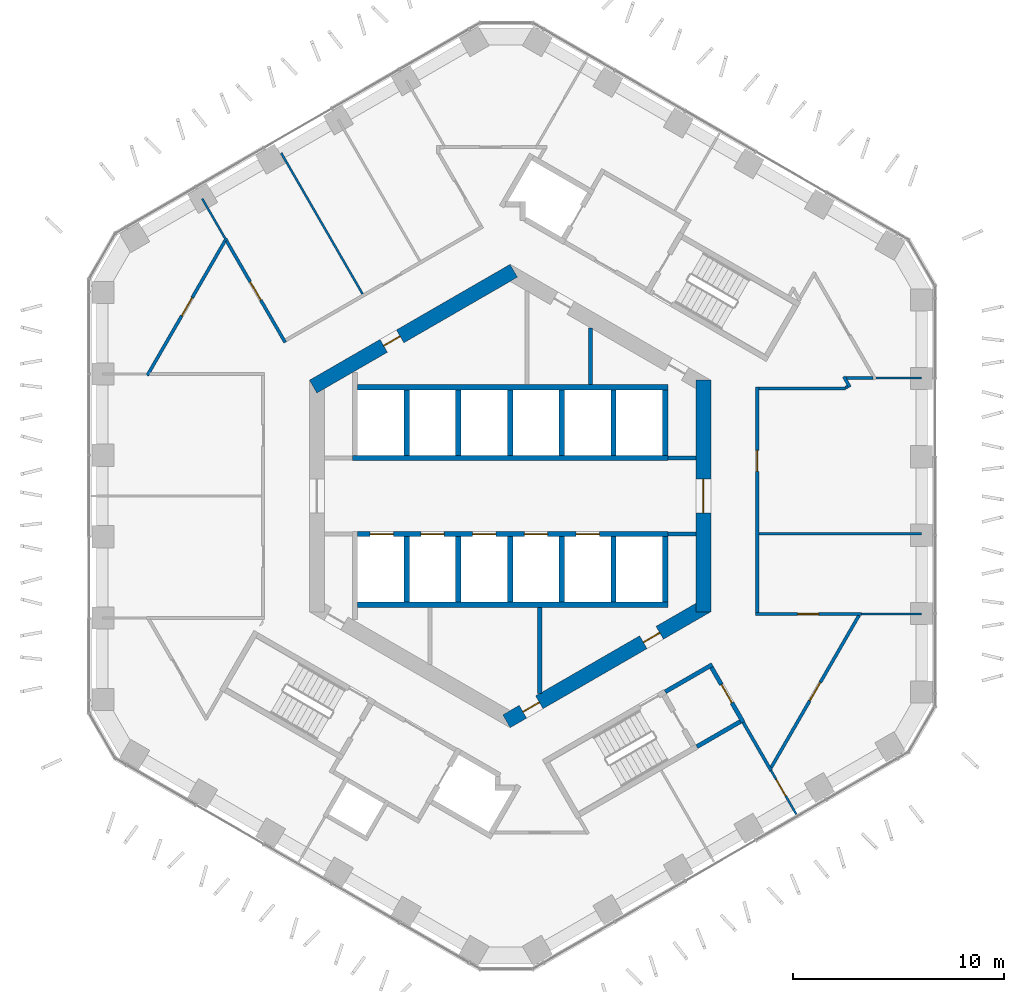
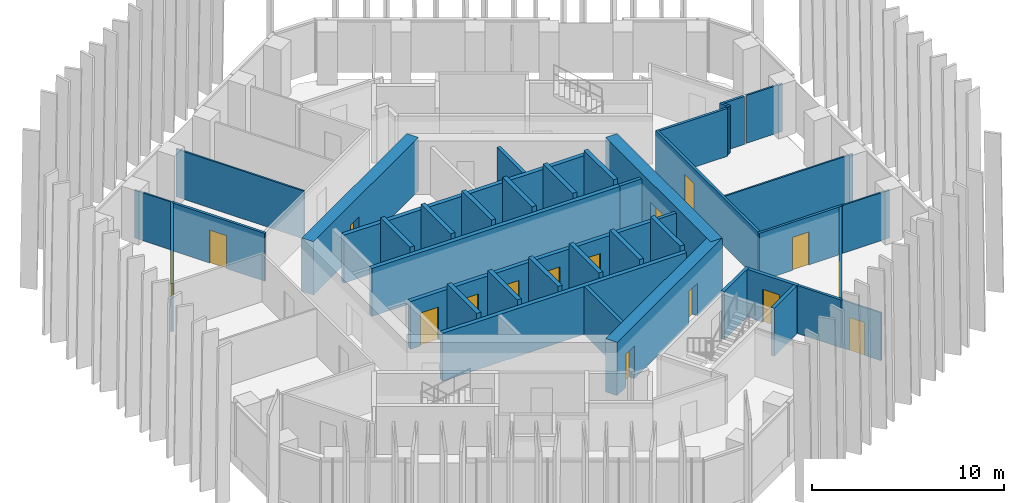
# One storey, part 13 of 19: 42 walls, 16 doors, 16 openings.
"""IFC4 building model written with IfcOpenShell, lengths in metres."""

from ifc_helpers import new_model, si_unit, direction, frame, frame_2d, origin, place, context, subcontext, project, spatial, rectangle, extrude, material, layer, layer_set, type_object, element, fill, save


model = new_model("IFC4")

# Units and contexts
model_context = context("Model", 3, precision=1e-05, world=origin(), true_north=direction((0.0, 1.0)))
body_context = subcontext(model_context, "Body", "Model", "MODEL_VIEW")
ifc_project = project(units=[si_unit("LENGTHUNIT", "METRE"), si_unit("AREAUNIT", "SQUARE_METRE"), si_unit("VOLUMEUNIT", "CUBIC_METRE"), si_unit("PLANEANGLEUNIT", "RADIAN"), si_unit("MASSUNIT", "GRAM", prefix="KILO")], contexts=[model_context])

# Site, building, storey
site_placement = place(None, origin())
site = spatial("IfcSite", under=ifc_project, at=site_placement, CompositionType="ELEMENT")
building_placement = place(site_placement, origin())
building = spatial("IfcBuilding", under=site, at=building_placement, Name="Ayvan Gate Tower", CompositionType="ELEMENT")
storey_placement = place(building_placement, frame((0.0, 0.0, 93.300048828125)))
storey = spatial("IfcBuildingStorey", under=building, at=storey_placement, Name="L24", CompositionType="ELEMENT", Elevation=93.300048828125)

# Wall, opening, door
ifc_material_1 = material(Name="Concrete C70/85", Category="concrete")
ifc_layer_1 = layer(ifc_material_1, 0.699951171875)
ifc_layer_set_1 = layer_set([ifc_layer_1], Name="Concrete C70/85")
wall_type_1 = type_object("IfcWallType", Name="Core wall 700 C70/85", PredefinedType="SHEAR", material=ifc_layer_set_1)
wall_1_placement = place(storey_placement, frame((9.14990234375, -5.48486328125, 0.0), z_axis=(0.0, 0.0, 1.0), x_axis=(0.0, 1.0, 0.0)))
wall_1 = element("IfcWall", 1, at=wall_1_placement, inside=storey, type_object=wall_type_1, Name="CORE-L24-0", PredefinedType="SHEAR", context=body_context, shape_type="SweptSolid", body=[
    extrude(rectangle(XDim=10.9697265625, YDim=0.699951171875, at=frame_2d((5.48486328125, 0.0))), origin(), (0.0, 0.0, 1.0), 3.39990234375),
])
opening_1_placement = place(wall_1_placement, frame((4.684814453125, 0.0, 0.0)))
opening_1 = element("IfcOpeningElement", 2, at=opening_1_placement, cuts=wall_1, Name="Opening L24-D38", PredefinedType="OPENING", context=body_context, shape_type="SweptSolid", body=[
    extrude(rectangle(XDim=1.60009765625, YDim=2.10009765625, at=frame_2d((0.800048828125, 1.050048828125))), frame((0.0, 0.35986328125, 0.0), z_axis=(0.0, -1.0, 0.0), x_axis=(1.0, 0.0, 0.0)), (0.0, 0.0, 1.0), 0.719970703125),
])
ifc_material_2 = material(Name="Timber door leaf", Category="wood")
door_type_1 = type_object("IfcDoorType", Name="DT-1600", OperationType="NOTDEFINED", PredefinedType="DOOR", material=ifc_material_2)
door_1_placement = place(opening_1_placement, origin())
door_1 = element("IfcDoor", 3, at=door_1_placement, inside=storey, type_object=door_type_1, Name="CD-L24-38", OperationType="SINGLE_SWING_RIGHT", OverallHeight=2.10009765625, OverallWidth=1.60009765625, PredefinedType="DOOR", context=body_context, shape_type="SweptSolid", body=[
    extrude(rectangle(XDim=1.60009765625, YDim=2.10009765625, at=frame_2d((0.800048828125, 1.050048828125))), frame((0.0, 0.02490234375, 0.0), z_axis=(0.0, -1.0, 0.0), x_axis=(1.0, 0.0, 0.0)), (0.0, 0.0, 1.0), 0.050048828125),
])
fill(opening_1, door_1)

wall_2_placement = place(storey_placement, frame((0.175048828125, 10.66650390625, 0.0), z_axis=(0.0, 0.0, 1.0), x_axis=(-0.866023993627, -0.500002442456, 0.0)))
wall_2 = element("IfcWall", 4, at=wall_2_placement, inside=storey, type_object=wall_type_1, Name="CORE-L24-2", PredefinedType="SHEAR", context=body_context, shape_type="SweptSolid", body=[
    extrude(rectangle(XDim=10.9697265625, YDim=0.699951171875, at=frame_2d((5.48486328125, 0.0))), origin(), (0.0, 0.0, 1.0), 3.39990234375),
])
opening_2_placement = place(wall_2_placement, frame((6.2138671875, 0.0, 0.0)))
opening_2 = element("IfcOpeningElement", 5, at=opening_2_placement, cuts=wall_2, Name="Opening L24-D32", PredefinedType="OPENING", context=body_context, shape_type="SweptSolid", body=[
    extrude(rectangle(XDim=0.89990234375, YDim=2.10009765625, at=frame_2d((0.449951171875, 1.050048828125))), frame((0.0, 0.35986328125, 0.0), z_axis=(0.0, -1.0, 0.0), x_axis=(1.0, 0.0, 0.0)), (0.0, 0.0, 1.0), 0.719970703125),
])
door_type_2 = type_object("IfcDoorType", Name="DT-900", OperationType="NOTDEFINED", PredefinedType="DOOR", material=ifc_material_2)
door_2_placement = place(opening_2_placement, origin())
door_2 = element("IfcDoor", 6, at=door_2_placement, inside=storey, type_object=door_type_2, Name="CD-L24-32", OperationType="SINGLE_SWING_RIGHT", OverallHeight=2.10009765625, OverallWidth=0.89990234375, PredefinedType="DOOR", context=body_context, shape_type="SweptSolid", body=[
    extrude(rectangle(XDim=0.89990234375, YDim=2.10009765625, at=frame_2d((0.449951171875, 1.050048828125))), frame((0.0, 0.02490234375, 0.0), z_axis=(0.0, -1.0, 0.0), x_axis=(1.0, 0.0, 0.0)), (0.0, 0.0, 1.0), 0.050048828125),
])
fill(opening_2, door_2)

# Wall, openings, doors
wall_3_placement = place(storey_placement, frame((-0.175048828125, -10.66650390625, 0.0), z_axis=(0.0, 0.0, 1.0), x_axis=(0.866023993627, 0.500002442456, 0.0)))
wall_3 = element("IfcWall", 7, at=wall_3_placement, inside=storey, type_object=wall_type_1, Name="CORE-L24-5", PredefinedType="SHEAR", context=body_context, shape_type="SweptSolid", body=[
    extrude(rectangle(XDim=10.9697265625, YDim=0.699951171875, at=frame_2d((5.48486328125, 0.0))), origin(), (0.0, 0.0, 1.0), 3.39990234375),
])
opening_3_placement = place(wall_3_placement, frame((0.89990234375, 0.0, 0.0)))
opening_3 = element("IfcOpeningElement", 8, at=opening_3_placement, cuts=wall_3, Name="Opening L24-D36", PredefinedType="OPENING", context=body_context, shape_type="SweptSolid", body=[
    extrude(rectangle(XDim=0.89990234375, YDim=2.10009765625, at=frame_2d((0.449951171875, 1.050048828125))), frame((0.0, 0.35986328125, 0.0), z_axis=(0.0, -1.0, 0.0), x_axis=(1.0, 0.0, 0.0)), (0.0, 0.0, 1.0), 0.719970703125),
])
opening_4_placement = place(wall_3_placement, frame((7.4833984375, 0.0, 0.0)))
opening_4 = element("IfcOpeningElement", 9, at=opening_4_placement, cuts=wall_3, Name="Opening L24-D37", PredefinedType="OPENING", context=body_context, shape_type="SweptSolid", body=[
    extrude(rectangle(XDim=0.89990234375, YDim=2.10009765625, at=frame_2d((0.449951171875, 1.050048828125))), frame((0.0, 0.35986328125, 0.0), z_axis=(0.0, -1.0, 0.0), x_axis=(1.0, 0.0, 0.0)), (0.0, 0.0, 1.0), 0.719970703125),
])
door_3_placement = place(opening_3_placement, origin())
door_3 = element("IfcDoor", 10, at=door_3_placement, inside=storey, type_object=door_type_2, Name="CD-L24-36", OperationType="SINGLE_SWING_RIGHT", OverallHeight=2.10009765625, OverallWidth=0.89990234375, PredefinedType="DOOR", context=body_context, shape_type="SweptSolid", body=[
    extrude(rectangle(XDim=0.89990234375, YDim=2.10009765625, at=frame_2d((0.449951171875, 1.050048828125))), frame((0.0, 0.02490234375, 0.0), z_axis=(0.0, -1.0, 0.0), x_axis=(1.0, 0.0, 0.0)), (0.0, 0.0, 1.0), 0.050048828125),
])
fill(opening_3, door_3)
door_4_placement = place(opening_4_placement, origin())
door_4 = element("IfcDoor", 11, at=door_4_placement, inside=storey, type_object=door_type_2, Name="CD-L24-37", OperationType="SINGLE_SWING_LEFT", OverallHeight=2.10009765625, OverallWidth=0.89990234375, PredefinedType="DOOR", context=body_context, shape_type="SweptSolid", body=[
    extrude(rectangle(XDim=0.89990234375, YDim=2.10009765625, at=frame_2d((0.449951171875, 1.050048828125))), frame((0.0, 0.02490234375, 0.0), z_axis=(0.0, -1.0, 0.0), x_axis=(1.0, 0.0, 0.0)), (0.0, 0.0, 1.0), 0.050048828125),
])
fill(opening_4, door_4)

# Wall, opening, door
ifc_material_3 = material(Name="Plasterboard on steel stud", Category="steel")
ifc_layer_2 = layer(ifc_material_3, 0.14990234375)
ifc_layer_set_2 = layer_set([ifc_layer_2], Name="Plasterboard on steel stud")
wall_type_2 = type_object("IfcWallType", Name="WT-CORR-150", PredefinedType="PARTITIONING", material=ifc_layer_set_2)
wall_4_placement = place(storey_placement, frame((-17.18115234375, 5.70751953125, 0.0), z_axis=(0.0, 0.0, 1.0), x_axis=(0.50000294753, 0.86602370202, 0.0)))
wall_4 = element("IfcWall", 12, at=wall_4_placement, inside=storey, type_object=wall_type_2, Name="IW-L24-001", PredefinedType="PARTITIONING", context=body_context, shape_type="SweptSolid", body=[
    extrude(rectangle(XDim=7.50927734375, YDim=0.14990234375, at=frame_2d((3.754638671875, 0.0))), origin(), (0.0, 0.0, 1.0), 3.050048828125),
])
opening_5_placement = place(wall_4_placement, frame((3.254638671875, 0.0, 0.0)))
opening_5 = element("IfcOpeningElement", 13, at=opening_5_placement, cuts=wall_4, Name="Opening L24-D22", PredefinedType="OPENING", context=body_context, shape_type="SweptSolid", body=[
    extrude(rectangle(XDim=1.0, YDim=2.10009765625, at=frame_2d((0.5, 1.050048828125))), frame((0.0, 0.0849609375, 0.0), z_axis=(0.0, -1.0, 0.0), x_axis=(1.0, 0.0, 0.0)), (0.0, 0.0, 1.0), 0.169921875),
])
door_type_3 = type_object("IfcDoorType", Name="DT-1000", OperationType="NOTDEFINED", PredefinedType="DOOR", material=ifc_material_2)
door_5_placement = place(opening_5_placement, origin())
door_5 = element("IfcDoor", 14, at=door_5_placement, inside=storey, type_object=door_type_3, Name="ID-L24-022", OperationType="SINGLE_SWING_RIGHT", OverallHeight=2.10009765625, OverallWidth=1.0, PredefinedType="DOOR", context=body_context, shape_type="SweptSolid", body=[
    extrude(rectangle(XDim=1.0, YDim=2.10009765625, at=frame_2d((0.5, 1.050048828125))), frame((0.0, 0.02490234375, 0.0), z_axis=(0.0, -1.0, 0.0), x_axis=(1.0, 0.0, 0.0)), (0.0, 0.0, 1.0), 0.050048828125),
])
fill(opening_5, door_5)

wall_5_placement = place(storey_placement, frame((-13.426513671875, 12.080810546875, 0.0), z_axis=(0.0, 0.0, 1.0), x_axis=(0.499966127528, -0.866044959182, 0.0)))
wall_5 = element("IfcWall", 15, at=wall_5_placement, inside=storey, type_object=wall_type_2, Name="IW-L24-008", PredefinedType="PARTITIONING", context=body_context, shape_type="SweptSolid", body=[
    extrude(rectangle(XDim=5.55078125, YDim=0.14990234375, at=frame_2d((2.775390625, 0.0))), origin(), (0.0, 0.0, 1.0), 3.050048828125),
])
opening_6_placement = place(wall_5_placement, frame((2.23779296875, 0.0, 0.0)))
opening_6 = element("IfcOpeningElement", 16, at=opening_6_placement, cuts=wall_5, Name="Opening L24-D31", PredefinedType="OPENING", context=body_context, shape_type="SweptSolid", body=[
    extrude(rectangle(XDim=1.0, YDim=2.10009765625, at=frame_2d((0.5, 1.050048828125))), frame((0.0, 0.0849609375, 0.0), z_axis=(0.0, -1.0, 0.0), x_axis=(1.0, 0.0, 0.0)), (0.0, 0.0, 1.0), 0.169921875),
])
door_6_placement = place(opening_6_placement, origin())
door_6 = element("IfcDoor", 17, at=door_6_placement, inside=storey, type_object=door_type_3, Name="ID-L24-031", OperationType="SINGLE_SWING_LEFT", OverallHeight=2.10009765625, OverallWidth=1.0, PredefinedType="DOOR", context=body_context, shape_type="SweptSolid", body=[
    extrude(rectangle(XDim=1.0, YDim=2.10009765625, at=frame_2d((0.5, 1.050048828125))), frame((0.0, 0.02490234375, 0.0), z_axis=(0.0, -1.0, 0.0), x_axis=(1.0, 0.0, 0.0)), (0.0, 0.0, 1.0), 0.050048828125),
])
fill(opening_6, door_6)

wall_6_placement = place(storey_placement, frame((11.625, -5.58740234375, 0.0), z_axis=(0.0, 0.0, 1.0), x_axis=(1.0, 0.0, 0.0)))
wall_6 = element("IfcWall", 18, at=wall_6_placement, inside=storey, type_object=wall_type_2, Name="IW-L24-091", PredefinedType="PARTITIONING", context=body_context, shape_type="SweptSolid", body=[
    extrude(rectangle(XDim=5.0078125, YDim=0.14990234375, at=frame_2d((2.50390625, 0.0))), origin(), (0.0, 0.0, 1.0), 3.050048828125),
])
opening_7_placement = place(wall_6_placement, frame((1.986572265625, 0.0, 0.0)))
opening_7 = element("IfcOpeningElement", 19, at=opening_7_placement, cuts=wall_6, Name="Opening L24-D17", PredefinedType="OPENING", context=body_context, shape_type="SweptSolid", body=[
    extrude(rectangle(XDim=1.0, YDim=2.10009765625, at=frame_2d((0.5, 1.050048828125))), frame((0.0, 0.0849609375, 0.0), z_axis=(0.0, -1.0, 0.0), x_axis=(1.0, 0.0, 0.0)), (0.0, 0.0, 1.0), 0.169921875),
])
door_7_placement = place(opening_7_placement, origin())
door_7 = element("IfcDoor", 20, at=door_7_placement, inside=storey, type_object=door_type_3, Name="ID-L24-017", OperationType="SINGLE_SWING_LEFT", OverallHeight=2.10009765625, OverallWidth=1.0, PredefinedType="DOOR", context=body_context, shape_type="SweptSolid", body=[
    extrude(rectangle(XDim=1.0, YDim=2.10009765625, at=frame_2d((0.5, 1.050048828125))), frame((0.0, 0.02490234375, 0.0), z_axis=(0.0, -1.0, 0.0), x_axis=(1.0, 0.0, 0.0)), (0.0, 0.0, 1.0), 0.050048828125),
])
fill(opening_7, door_7)

wall_7_placement = place(storey_placement, frame((11.699951171875, -5.512451171875, 0.0), z_axis=(0.0, 0.0, 1.0), x_axis=(0.0, 1.0, 0.0)))
wall_7 = element("IfcWall", 21, at=wall_7_placement, inside=storey, type_object=wall_type_2, Name="IW-L24-092", PredefinedType="PARTITIONING", context=body_context, shape_type="SweptSolid", body=[
    extrude(rectangle(XDim=10.6748046875, YDim=0.14990234375, at=frame_2d((5.33740234375, 0.0))), origin(), (0.0, 0.0, 1.0), 3.050048828125),
])
opening_8_placement = place(wall_7_placement, frame((6.677001953125, 0.0, 0.0)))
opening_8 = element("IfcOpeningElement", 22, at=opening_8_placement, cuts=wall_7, Name="Opening L24-D18", PredefinedType="OPENING", context=body_context, shape_type="SweptSolid", body=[
    extrude(rectangle(XDim=1.0, YDim=2.10009765625, at=frame_2d((0.5, 1.050048828125))), frame((0.0, 0.0849609375, 0.0), z_axis=(0.0, -1.0, 0.0), x_axis=(1.0, 0.0, 0.0)), (0.0, 0.0, 1.0), 0.169921875),
])
door_8_placement = place(opening_8_placement, origin())
door_8 = element("IfcDoor", 23, at=door_8_placement, inside=storey, type_object=door_type_3, Name="ID-L24-018", OperationType="SINGLE_SWING_RIGHT", OverallHeight=2.10009765625, OverallWidth=1.0, PredefinedType="DOOR", context=body_context, shape_type="SweptSolid", body=[
    extrude(rectangle(XDim=1.0, YDim=2.10009765625, at=frame_2d((0.5, 1.050048828125))), frame((0.0, 0.02490234375, 0.0), z_axis=(0.0, -1.0, 0.0), x_axis=(1.0, 0.0, 0.0)), (0.0, 0.0, 1.0), 0.050048828125),
])
fill(opening_8, door_8)

# Walls
wall_8_placement = place(storey_placement, frame((12.354248046875, -12.998046875, 0.0), z_axis=(0.0, 0.0, 1.0), x_axis=(-0.49998723852, 0.866032771503, 0.0)))
element("IfcWall", 24, at=wall_8_placement, inside=storey, type_object=wall_type_2, Name="IW-L24-095", PredefinedType="PARTITIONING", context=body_context, shape_type="SweptSolid", body=[
    extrude(rectangle(XDim=2.6337890625, YDim=0.14990234375, at=frame_2d((1.31689453125, 0.0))), origin(), (0.0, 0.0, 1.0), 3.050048828125),
])
wall_9_placement = place(storey_placement, frame((15.88671875, 5.08740234375, 0.0), z_axis=(0.0, 0.0, 1.0), x_axis=(-1.0, 0.0, 0.0)))
element("IfcWall", 25, at=wall_9_placement, inside=storey, type_object=wall_type_2, Name="IW-L24-102", PredefinedType="PARTITIONING", context=body_context, shape_type="SweptSolid", body=[
    extrude(rectangle(XDim=4.11181640625, YDim=0.14990234375, at=frame_2d((2.055908203125, 0.0))), origin(), (0.0, 0.0, 1.0), 3.050048828125),
])
wall_10_placement = place(storey_placement, frame((15.802001953125, 5.65234375, 0.0), z_axis=(0.0, 0.0, 1.0), x_axis=(0.499784350024, -0.866149873562, 0.0)))
element("IfcWall", 26, at=wall_10_placement, inside=storey, type_object=wall_type_2, Name="IW-L24-103", PredefinedType="PARTITIONING", context=body_context, shape_type="SweptSolid", body=[
    extrude(rectangle(XDim=0.569091796875, YDim=0.14990234375, at=frame_2d((0.28466796875, 0.0))), origin(), (0.0, 0.0, 1.0), 3.050048828125),
])
wall_11_placement = place(storey_placement, frame((15.98388671875, 5.18701171875, 0.0), z_axis=(0.0, 0.0, 1.0), x_axis=(-0.865561243632, -0.500803088571, 0.0)))
element("IfcWall", 27, at=wall_11_placement, inside=storey, type_object=wall_type_2, Name="IW-L24-104", PredefinedType="PARTITIONING", context=body_context, shape_type="SweptSolid", body=[
    extrude(rectangle(XDim=0.123779296875, YDim=0.14990234375, at=frame_2d((0.06201171875, 0.0))), origin(), (0.0, 0.0, 1.0), 3.050048828125),
])

# Wall, opening, door
wall_12_placement = place(storey_placement, frame((16.520263671875, -5.65234375, 0.0), z_axis=(0.0, 0.0, 1.0), x_axis=(-0.499996383721, -0.866027491634, 0.0)))
wall_12 = element("IfcWall", 28, at=wall_12_placement, inside=storey, type_object=wall_type_2, Name="IW-L24-105", PredefinedType="PARTITIONING", context=body_context, shape_type="SweptSolid", body=[
    extrude(rectangle(XDim=8.33203125, YDim=0.14990234375, at=frame_2d((4.166015625, 0.0))), origin(), (0.0, 0.0, 1.0), 3.050048828125),
])
opening_9_placement = place(wall_12_placement, frame((3.666015625, 0.0, 0.0)))
opening_9 = element("IfcOpeningElement", 29, at=opening_9_placement, cuts=wall_12, Name="Opening L24-D27", PredefinedType="OPENING", context=body_context, shape_type="SweptSolid", body=[
    extrude(rectangle(XDim=1.0, YDim=2.10009765625, at=frame_2d((0.5, 1.050048828125))), frame((0.0, 0.0849609375, 0.0), z_axis=(0.0, -1.0, 0.0), x_axis=(1.0, 0.0, 0.0)), (0.0, 0.0, 1.0), 0.169921875),
])
door_9_placement = place(opening_9_placement, origin())
door_9 = element("IfcDoor", 30, at=door_9_placement, inside=storey, type_object=door_type_3, Name="ID-L24-027", OperationType="SINGLE_SWING_LEFT", OverallHeight=2.10009765625, OverallWidth=1.0, PredefinedType="DOOR", context=body_context, shape_type="SweptSolid", body=[
    extrude(rectangle(XDim=1.0, YDim=2.10009765625, at=frame_2d((0.5, 1.050048828125))), frame((0.0, 0.02490234375, 0.0), z_axis=(0.0, -1.0, 0.0), x_axis=(1.0, 0.0, 0.0)), (0.0, 0.0, 1.0), 0.050048828125),
])
fill(opening_9, door_9)

# Walls
wall_13_placement = place(storey_placement, frame((17.175537109375, 5.58740234375, 0.0), z_axis=(0.0, 0.0, 1.0), x_axis=(-1.0, 0.0, 0.0)))
element("IfcWall", 31, at=wall_13_placement, inside=storey, type_object=wall_type_2, Name="IW-L24-107", PredefinedType="PARTITIONING", context=body_context, shape_type="SweptSolid", body=[
    extrude(rectangle(XDim=1.26123046875, YDim=0.14990234375, at=frame_2d((0.630615234375, 0.0))), origin(), (0.0, 0.0, 1.0), 3.050048828125),
])
ifc_layer_3 = layer(ifc_material_3, 0.10009765625)
ifc_layer_set_3 = layer_set([ifc_layer_3], Name="Plasterboard on steel stud")
wall_type_3 = type_object("IfcWallType", Name="WT-PART-100", PredefinedType="PARTITIONING", material=ifc_layer_set_3)
wall_14_placement = place(storey_placement, frame((-14.58154296875, 14.081298828125, 0.0), z_axis=(0.0, 0.0, 1.0), x_axis=(0.49994423739, -0.866057595949, 0.0)))
element("IfcWall", 32, at=wall_14_placement, inside=storey, type_object=wall_type_3, Name="IW-L24-004", PredefinedType="PARTITIONING", context=body_context, shape_type="SweptSolid", body=[
    extrude(rectangle(XDim=2.159912109375, YDim=0.10009765625, at=frame_2d((1.080078125, 0.0))), origin(), (0.0, 0.0, 1.0), 3.050048828125),
])
wall_15_placement = place(storey_placement, frame((-6.984375, 9.564208984375, 0.0), z_axis=(0.0, 0.0, 1.0), x_axis=(-0.499997453958, 0.866026873738, 0.0)))
element("IfcWall", 33, at=wall_15_placement, inside=storey, type_object=wall_type_3, Name="IW-L24-025", PredefinedType="PARTITIONING", context=body_context, shape_type="SweptSolid", body=[
    extrude(rectangle(XDim=7.71044921875, YDim=0.10009765625, at=frame_2d((3.855224609375, 0.0))), origin(), (0.0, 0.0, 1.0), 3.050048828125),
])
wall_16_placement = place(storey_placement, frame((11.77490234375, -1.7880859375, 0.0), z_axis=(0.0, 0.0, 1.0), x_axis=(1.0, 0.0, 0.0)))
element("IfcWall", 34, at=wall_16_placement, inside=storey, type_object=wall_type_3, Name="IW-L24-093", PredefinedType="PARTITIONING", context=body_context, shape_type="SweptSolid", body=[
    extrude(rectangle(XDim=7.710693359375, YDim=0.10009765625, at=frame_2d((3.85546875, 0.0))), origin(), (0.0, 0.0, 1.0), 3.050048828125),
])

# Wall, opening, door
wall_17_placement = place(storey_placement, frame((13.551513671875, -15.072021484375, 0.0), z_axis=(0.0, 0.0, 1.0), x_axis=(-0.499954846121, 0.866051471819, 0.0)))
wall_17 = element("IfcWall", 35, at=wall_17_placement, inside=storey, type_object=wall_type_3, Name="IW-L24-097", PredefinedType="PARTITIONING", context=body_context, shape_type="SweptSolid", body=[
    extrude(rectangle(XDim=2.394775390625, YDim=0.10009765625, at=frame_2d((1.197265625, 0.0))), origin(), (0.0, 0.0, 1.0), 3.050048828125),
])
opening_10_placement = place(wall_17_placement, frame((1.0078125, 0.0, 0.0)))
opening_10 = element("IfcOpeningElement", 36, at=opening_10_placement, cuts=wall_17, Name="Opening L24-D28", PredefinedType="OPENING", context=body_context, shape_type="SweptSolid", body=[
    extrude(rectangle(XDim=0.89990234375, YDim=2.10009765625, at=frame_2d((0.449951171875, 1.050048828125))), frame((0.0, 0.06005859375, 0.0), z_axis=(0.0, -1.0, 0.0), x_axis=(1.0, 0.0, 0.0)), (0.0, 0.0, 1.0), 0.1201171875),
])
door_10_placement = place(opening_10_placement, origin())
door_10 = element("IfcDoor", 37, at=door_10_placement, inside=storey, type_object=door_type_2, Name="ID-L24-028", OperationType="SINGLE_SWING_RIGHT", OverallHeight=2.10009765625, OverallWidth=0.89990234375, PredefinedType="DOOR", context=body_context, shape_type="SweptSolid", body=[
    extrude(rectangle(XDim=0.89990234375, YDim=2.10009765625, at=frame_2d((0.449951171875, 1.050048828125))), frame((0.0, 0.02490234375, 0.0), z_axis=(0.0, -1.0, 0.0), x_axis=(1.0, 0.0, 0.0)), (0.0, 0.0, 1.0), 0.050048828125),
])
fill(opening_10, door_10)

# Walls
wall_18_placement = place(storey_placement, frame((17.325439453125, 5.58740234375, 0.0), z_axis=(0.0, 0.0, 1.0), x_axis=(1.0, 0.0, 0.0)))
element("IfcWall", 38, at=wall_18_placement, inside=storey, type_object=wall_type_3, Name="IW-L24-106", PredefinedType="PARTITIONING", context=body_context, shape_type="SweptSolid", body=[
    extrude(rectangle(XDim=2.16015625, YDim=0.10009765625, at=frame_2d((1.080078125, 0.0))), origin(), (0.0, 0.0, 1.0), 3.050048828125),
])
wall_19_placement = place(storey_placement, frame((19.485595703125, -5.58740234375, 0.0), z_axis=(0.0, 0.0, 1.0), x_axis=(-1.0, 0.0, 0.0)))
element("IfcWall", 39, at=wall_19_placement, inside=storey, type_object=wall_type_3, Name="IW-L24-108", PredefinedType="PARTITIONING", context=body_context, shape_type="SweptSolid", body=[
    extrude(rectangle(XDim=2.852783203125, YDim=0.10009765625, at=frame_2d((1.42626953125, 0.0))), origin(), (0.0, 0.0, 1.0), 3.050048828125),
])
ifc_layer_4 = layer(ifc_material_3, 0.199951171875)
ifc_layer_set_4 = layer_set([ifc_layer_4], Name="Plasterboard on steel stud")
wall_type_4 = type_object("IfcWallType", Name="WT-RATED-200", PredefinedType="PARTITIONING", material=ifc_layer_set_4)
wall_20_placement = place(storey_placement, frame((1.39990234375, -5.27490234375, 0.0), z_axis=(0.0, 0.0, 1.0), x_axis=(0.0, -1.0, 0.0)))
element("IfcWall", 40, at=wall_20_placement, inside=storey, type_object=wall_type_4, Name="IW-L24-060", PredefinedType="PARTITIONING", context=body_context, shape_type="SweptSolid", body=[
    extrude(rectangle(XDim=4.078125, YDim=0.199951171875, at=frame_2d((2.0390625, 0.0))), origin(), (0.0, 0.0, 1.0), 3.050048828125),
])
wall_21_placement = place(storey_placement, frame((3.800048828125, 7.96728515625, 0.0), z_axis=(0.0, 0.0, 1.0), x_axis=(0.0, -1.0, 0.0)))
element("IfcWall", 41, at=wall_21_placement, inside=storey, type_object=wall_type_4, Name="IW-L24-071", PredefinedType="PARTITIONING", context=body_context, shape_type="SweptSolid", body=[
    extrude(rectangle(XDim=2.6923828125, YDim=0.199951171875, at=frame_2d((1.34619140625, 0.0))), origin(), (0.0, 0.0, 1.0), 3.050048828125),
])
wall_22_placement = place(storey_placement, frame((7.343994140625, -9.27001953125, 0.0), z_axis=(0.0, 0.0, 1.0), x_axis=(0.866005588531, 0.500034319456, 0.0)))
element("IfcWall", 42, at=wall_22_placement, inside=storey, type_object=wall_type_4, Name="IW-L24-081", PredefinedType="PARTITIONING", context=body_context, shape_type="SweptSolid", body=[
    extrude(rectangle(XDim=2.574951171875, YDim=0.199951171875, at=frame_2d((1.28759765625, 0.0))), origin(), (0.0, 0.0, 1.0), 3.050048828125),
])
for number, where, z_axis, x_axis, name in (
    (43, (7.474853515625, 1.800048828125, 0.0), (0.0, 0.0, 1.0), (1.0, 0.0, 0.0), "IW-L24-082"),
    (44, (8.800048828125, -1.800048828125, 0.0), (0.0, 0.0, 1.0), (-1.0, 0.0, 0.0), "IW-L24-088"),
):
    element("IfcWall", number, at=place(storey_placement, frame(where, z_axis=z_axis, x_axis=x_axis)), inside=storey, type_object=wall_type_4, Name=name, PredefinedType="PARTITIONING", context=body_context, shape_type="SweptSolid", body=[
        extrude(rectangle(XDim=1.3251953125, YDim=0.199951171875, at=frame_2d((0.66259765625, 0.0))), origin(), (0.0, 0.0, 1.0), 3.050048828125),
    ])

# Wall, opening, door
wall_23_placement = place(storey_placement, frame((9.537353515625, -8.119140625, 0.0), z_axis=(0.0, 0.0, 1.0), x_axis=(0.499990139034, -0.866031096941, 0.0)))
wall_23 = element("IfcWall", 45, at=wall_23_placement, inside=storey, type_object=wall_type_4, Name="IW-L24-089", PredefinedType="PARTITIONING", context=body_context, shape_type="SweptSolid", body=[
    extrude(rectangle(XDim=3.0, YDim=0.199951171875, at=frame_2d((1.5, 0.0))), origin(), (0.0, 0.0, 1.0), 3.050048828125),
])
opening_11_placement = place(wall_23_placement, frame((0.93505859375, 0.0, 0.0)))
opening_11 = element("IfcOpeningElement", 46, at=opening_11_placement, cuts=wall_23, Name="Opening L24-D15", PredefinedType="OPENING", context=body_context, shape_type="SweptSolid", body=[
    extrude(rectangle(XDim=1.0, YDim=2.10009765625, at=frame_2d((0.5, 1.050048828125))), frame((0.0, 0.10986328125, 0.0), z_axis=(0.0, -1.0, 0.0), x_axis=(1.0, 0.0, 0.0)), (0.0, 0.0, 1.0), 0.219970703125),
])
door_11_placement = place(opening_11_placement, origin())
door_11 = element("IfcDoor", 47, at=door_11_placement, inside=storey, type_object=door_type_3, Name="ID-L24-015", OperationType="SINGLE_SWING_LEFT", OverallHeight=2.10009765625, OverallWidth=1.0, PredefinedType="DOOR", context=body_context, shape_type="SweptSolid", body=[
    extrude(rectangle(XDim=1.0, YDim=2.10009765625, at=frame_2d((0.5, 1.050048828125))), frame((0.0, 0.02490234375, 0.0), z_axis=(0.0, -1.0, 0.0), x_axis=(1.0, 0.0, 0.0)), (0.0, 0.0, 1.0), 0.050048828125),
])
fill(opening_11, door_11)

# Walls
wall_24_placement = place(storey_placement, frame((10.900634765625, -10.6806640625, 0.0), z_axis=(0.0, 0.0, 1.0), x_axis=(-0.866007538022, -0.500030943131, 0.0)))
element("IfcWall", 48, at=wall_24_placement, inside=storey, type_object=wall_type_4, Name="IW-L24-090", PredefinedType="PARTITIONING", context=body_context, shape_type="SweptSolid", body=[
    extrude(rectangle(XDim=2.374755859375, YDim=0.199951171875, at=frame_2d((1.1875, 0.0))), origin(), (0.0, 0.0, 1.0), 3.050048828125),
])
ifc_material_4 = material(Name="Concrete C50/60", Category="concrete")
ifc_layer_5 = layer(ifc_material_4, 0.25)
ifc_layer_set_5 = layer_set([ifc_layer_5], Name="Concrete C50/60")
wall_type_5 = type_object("IfcWallType", Name="WT-RC-250", PredefinedType="SHEAR", material=ifc_layer_set_5)
wall_25_placement = place(storey_placement, frame((-7.47509765625, 1.800048828125, 0.0), z_axis=(0.0, 0.0, 1.0), x_axis=(1.0, 0.0, 0.0)))
element("IfcWall", 49, at=wall_25_placement, inside=storey, type_object=wall_type_5, Name="IW-L24-020", PredefinedType="SHEAR", context=body_context, shape_type="SweptSolid", body=[
    extrude(rectangle(XDim=14.9501953125, YDim=0.25, at=frame_2d((7.47509765625, 0.0))), origin(), (0.0, 0.0, 1.0), 3.050048828125),
])
for number, where, z_axis, x_axis, name in (
    (50, (-7.22509765625, 5.14990234375, 0.0), (0.0, 0.0, 1.0), (1.0, 0.0, 0.0), "IW-L24-023"),
    (51, (-7.22509765625, -5.14990234375, 0.0), (0.0, 0.0, 1.0), (1.0, 0.0, 0.0), "IW-L24-031"),
):
    element("IfcWall", number, at=place(storey_placement, frame(where, z_axis=z_axis, x_axis=x_axis)), inside=storey, type_object=wall_type_5, Name=name, PredefinedType="SHEAR", context=body_context, shape_type="SweptSolid", body=[
        extrude(rectangle(XDim=14.7001953125, YDim=0.25, at=frame_2d((7.35009765625, 0.0))), origin(), (0.0, 0.0, 1.0), 3.050048828125),
    ])
for number, where, z_axis, x_axis, name in (
    (52, (-4.89990234375, -1.925048828125, 0.0), (0.0, 0.0, 1.0), (0.0, -1.0, 0.0), "IW-L24-032"),
    (53, (-4.89990234375, 5.02490234375, 0.0), (0.0, 0.0, 1.0), (0.0, -1.0, 0.0), "IW-L24-033"),
):
    element("IfcWall", number, at=place(storey_placement, frame(where, z_axis=z_axis, x_axis=x_axis)), inside=storey, type_object=wall_type_5, Name=name, PredefinedType="SHEAR", context=body_context, shape_type="SweptSolid", body=[
        extrude(rectangle(XDim=3.099853515625, YDim=0.25, at=frame_2d((1.5498046875, 0.0))), origin(), (0.0, 0.0, 1.0), 3.39990234375),
    ])

# Wall, openings, doors
wall_26_placement = place(storey_placement, frame((-7.22509765625, -1.800048828125, 0.0), z_axis=(0.0, 0.0, 1.0), x_axis=(1.0, 0.0, 0.0)))
wall_26 = element("IfcWall", 54, at=wall_26_placement, inside=storey, type_object=wall_type_5, Name="IW-L24-034", PredefinedType="SHEAR", context=body_context, shape_type="SweptSolid", body=[
    extrude(rectangle(XDim=14.7001953125, YDim=0.25, at=frame_2d((7.35009765625, 0.0))), origin(), (0.0, 0.0, 1.0), 3.050048828125),
])
opening_12_placement = place(wall_26_placement, frame((0.597412109375, 0.0, 0.0)))
opening_12 = element("IfcOpeningElement", 55, at=opening_12_placement, cuts=wall_26, Name="Opening L24-LD-LR1", PredefinedType="OPENING", context=body_context, shape_type="SweptSolid", body=[
    extrude(rectangle(XDim=1.10009765625, YDim=2.10009765625, at=frame_2d((0.550048828125, 1.050048828125))), frame((0.0, 0.135009765625, 0.0), z_axis=(0.0, -1.0, 0.0), x_axis=(1.0, 0.0, 0.0)), (0.0, 0.0, 1.0), 0.27001953125),
])
opening_13_placement = place(wall_26_placement, frame((3.0, 0.0, 0.0)))
opening_13 = element("IfcOpeningElement", 56, at=opening_13_placement, cuts=wall_26, Name="Opening L24-LD-LR2", PredefinedType="OPENING", context=body_context, shape_type="SweptSolid", body=[
    extrude(rectangle(XDim=1.10009765625, YDim=2.10009765625, at=frame_2d((0.550048828125, 1.050048828125))), frame((0.0, 0.135009765625, 0.0), z_axis=(0.0, -1.0, 0.0), x_axis=(1.0, 0.0, 0.0)), (0.0, 0.0, 1.0), 0.27001953125),
])
opening_14_placement = place(wall_26_placement, frame((5.4501953125, 0.0, 0.0)))
opening_14 = element("IfcOpeningElement", 57, at=opening_14_placement, cuts=wall_26, Name="Opening L24-LD-LR3", PredefinedType="OPENING", context=body_context, shape_type="SweptSolid", body=[
    extrude(rectangle(XDim=1.10009765625, YDim=2.10009765625, at=frame_2d((0.550048828125, 1.050048828125))), frame((0.0, 0.135009765625, 0.0), z_axis=(0.0, -1.0, 0.0), x_axis=(1.0, 0.0, 0.0)), (0.0, 0.0, 1.0), 0.27001953125),
])
opening_15_placement = place(wall_26_placement, frame((7.900146484375, 0.0, 0.0)))
opening_15 = element("IfcOpeningElement", 58, at=opening_15_placement, cuts=wall_26, Name="Opening L24-LD-LR4", PredefinedType="OPENING", context=body_context, shape_type="SweptSolid", body=[
    extrude(rectangle(XDim=1.10009765625, YDim=2.10009765625, at=frame_2d((0.550048828125, 1.050048828125))), frame((0.0, 0.135009765625, 0.0), z_axis=(0.0, -1.0, 0.0), x_axis=(1.0, 0.0, 0.0)), (0.0, 0.0, 1.0), 0.27001953125),
])
opening_16_placement = place(wall_26_placement, frame((10.35009765625, 0.0, 0.0)))
opening_16 = element("IfcOpeningElement", 59, at=opening_16_placement, cuts=wall_26, Name="Opening L24-LD-SV", PredefinedType="OPENING", context=body_context, shape_type="SweptSolid", body=[
    extrude(rectangle(XDim=1.10009765625, YDim=2.10009765625, at=frame_2d((0.550048828125, 1.050048828125))), frame((0.0, 0.135009765625, 0.0), z_axis=(0.0, -1.0, 0.0), x_axis=(1.0, 0.0, 0.0)), (0.0, 0.0, 1.0), 0.27001953125),
])
ifc_material_5 = material(Name="Stainless steel landing door", Category="steel")
door_type_4 = type_object("IfcDoorType", Name="DT-LANDING-1100", OperationType="SLIDING_TO_LEFT", PredefinedType="DOOR", material=ifc_material_5)
door_12_placement = place(opening_12_placement, origin())
door_12 = element("IfcDoor", 60, at=door_12_placement, inside=storey, type_object=door_type_4, Name="ID-L24-001", OperationType="SLIDING_TO_LEFT", OverallHeight=2.10009765625, OverallWidth=1.10009765625, PredefinedType="DOOR", context=body_context, shape_type="SweptSolid", body=[
    extrude(rectangle(XDim=1.10009765625, YDim=2.10009765625, at=frame_2d((0.550048828125, 1.050048828125))), frame((0.0, 0.02490234375, 0.0), z_axis=(0.0, -1.0, 0.0), x_axis=(1.0, 0.0, 0.0)), (0.0, 0.0, 1.0), 0.050048828125),
])
fill(opening_12, door_12)
door_13_placement = place(opening_13_placement, origin())
door_13 = element("IfcDoor", 61, at=door_13_placement, inside=storey, type_object=door_type_4, Name="ID-L24-002", OperationType="SLIDING_TO_LEFT", OverallHeight=2.10009765625, OverallWidth=1.10009765625, PredefinedType="DOOR", context=body_context, shape_type="SweptSolid", body=[
    extrude(rectangle(XDim=1.10009765625, YDim=2.10009765625, at=frame_2d((0.550048828125, 1.050048828125))), frame((0.0, 0.02490234375, 0.0), z_axis=(0.0, -1.0, 0.0), x_axis=(1.0, 0.0, 0.0)), (0.0, 0.0, 1.0), 0.050048828125),
])
fill(opening_13, door_13)
door_14_placement = place(opening_14_placement, origin())
door_14 = element("IfcDoor", 62, at=door_14_placement, inside=storey, type_object=door_type_4, Name="ID-L24-003", OperationType="SLIDING_TO_LEFT", OverallHeight=2.10009765625, OverallWidth=1.10009765625, PredefinedType="DOOR", context=body_context, shape_type="SweptSolid", body=[
    extrude(rectangle(XDim=1.10009765625, YDim=2.10009765625, at=frame_2d((0.550048828125, 1.050048828125))), frame((0.0, 0.02490234375, 0.0), z_axis=(0.0, -1.0, 0.0), x_axis=(1.0, 0.0, 0.0)), (0.0, 0.0, 1.0), 0.050048828125),
])
fill(opening_14, door_14)
door_15_placement = place(opening_15_placement, origin())
door_15 = element("IfcDoor", 63, at=door_15_placement, inside=storey, type_object=door_type_4, Name="ID-L24-004", OperationType="SLIDING_TO_LEFT", OverallHeight=2.10009765625, OverallWidth=1.10009765625, PredefinedType="DOOR", context=body_context, shape_type="SweptSolid", body=[
    extrude(rectangle(XDim=1.10009765625, YDim=2.10009765625, at=frame_2d((0.550048828125, 1.050048828125))), frame((0.0, 0.02490234375, 0.0), z_axis=(0.0, -1.0, 0.0), x_axis=(1.0, 0.0, 0.0)), (0.0, 0.0, 1.0), 0.050048828125),
])
fill(opening_15, door_15)
door_16_placement = place(opening_16_placement, origin())
door_16 = element("IfcDoor", 64, at=door_16_placement, inside=storey, type_object=door_type_4, Name="ID-L24-005", OperationType="SLIDING_TO_LEFT", OverallHeight=2.10009765625, OverallWidth=1.10009765625, PredefinedType="DOOR", context=body_context, shape_type="SweptSolid", body=[
    extrude(rectangle(XDim=1.10009765625, YDim=2.10009765625, at=frame_2d((0.550048828125, 1.050048828125))), frame((0.0, 0.02490234375, 0.0), z_axis=(0.0, -1.0, 0.0), x_axis=(1.0, 0.0, 0.0)), (0.0, 0.0, 1.0), 0.050048828125),
])
fill(opening_16, door_16)

# Walls
for number, where, z_axis, x_axis, name in (
    (65, (-2.449951171875, -1.925048828125, 0.0), (0.0, 0.0, 1.0), (0.0, -1.0, 0.0), "IW-L24-045"),
    (66, (-2.449951171875, 5.02490234375, 0.0), (0.0, 0.0, 1.0), (0.0, -1.0, 0.0), "IW-L24-046"),
    (67, (0.0, -1.925048828125, 0.0), (0.0, 0.0, 1.0), (0.0, -1.0, 0.0), "IW-L24-053"),
    (68, (0.0, 5.02490234375, 0.0), (0.0, 0.0, 1.0), (0.0, -1.0, 0.0), "IW-L24-054"),
    (69, (2.449951171875, -1.925048828125, 0.0), (0.0, 0.0, 1.0), (0.0, -1.0, 0.0), "IW-L24-063"),
    (70, (2.449951171875, 5.02490234375, 0.0), (0.0, 0.0, 1.0), (0.0, -1.0, 0.0), "IW-L24-064"),
    (71, (4.89990234375, -1.925048828125, 0.0), (0.0, 0.0, 1.0), (0.0, -1.0, 0.0), "IW-L24-074"),
    (72, (4.89990234375, 5.02490234375, 0.0), (0.0, 0.0, 1.0), (0.0, -1.0, 0.0), "IW-L24-075"),
    (73, (7.35009765625, -1.925048828125, 0.0), (0.0, 0.0, 1.0), (0.0, -1.0, 0.0), "IW-L24-083"),
    (74, (7.35009765625, 5.02490234375, 0.0), (0.0, 0.0, 1.0), (0.0, -1.0, 0.0), "IW-L24-084"),
):
    element("IfcWall", number, at=place(storey_placement, frame(where, z_axis=z_axis, x_axis=x_axis)), inside=storey, type_object=wall_type_5, Name=name, PredefinedType="SHEAR", context=body_context, shape_type="SweptSolid", body=[
        extrude(rectangle(XDim=3.099853515625, YDim=0.25, at=frame_2d((1.5498046875, 0.0))), origin(), (0.0, 0.0, 1.0), 3.39990234375),
    ])

save(model, "model.ifc")
